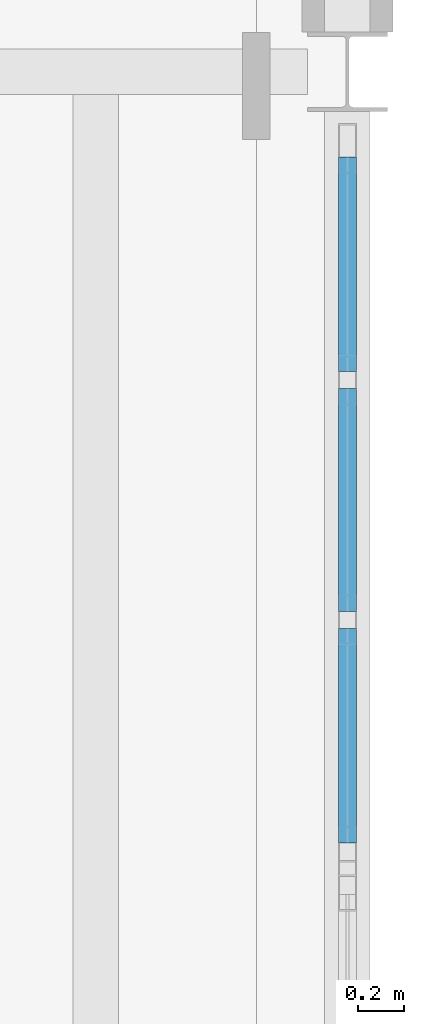
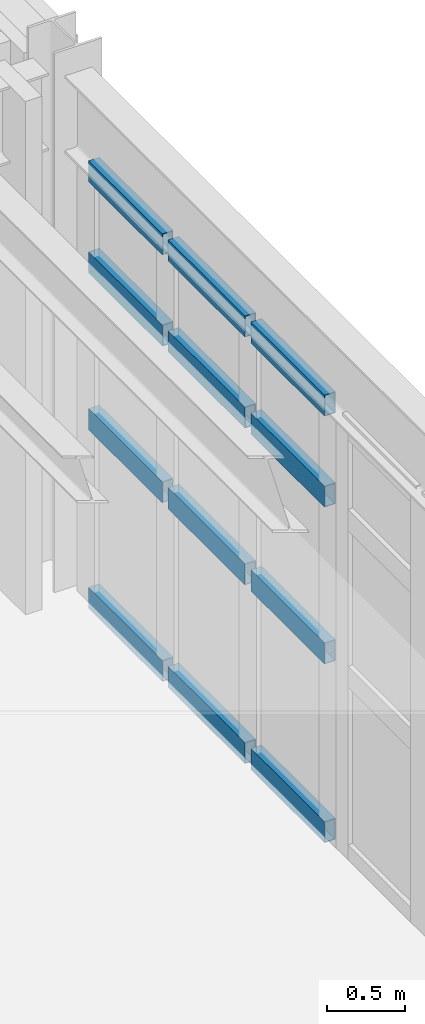
# One storey, part 18 of 27: 12 members, 1 element without a shape of its own.
"""IFC4 building model written with IfcOpenShell, lengths in metres."""

from ifc_helpers import new_model, si_unit, direction, frame, origin, origin_2d, place, context, subcontext, project, spatial, hollow_rectangle, extrude, material, material_profile, profile_set, type_object, element, aggregate, save


model = new_model("IFC4")

# Units and contexts
model_context = context("Model", 3, precision=1e-05, world=origin(), true_north=direction((0.0, 1.0)))
body_context = subcontext(model_context, "Body", "Model", "MODEL_VIEW")
ifc_project = project(units=[si_unit("LENGTHUNIT", "METRE"), si_unit("AREAUNIT", "SQUARE_METRE"), si_unit("VOLUMEUNIT", "CUBIC_METRE"), si_unit("PLANEANGLEUNIT", "RADIAN"), si_unit("MASSUNIT", "GRAM", prefix="KILO"), si_unit("THERMODYNAMICTEMPERATUREUNIT", "KELVIN"), si_unit("POWERUNIT", "WATT")], contexts=[model_context])

# Site, building, storey
site_placement = place(None, origin())
site = spatial("IfcSite", under=ifc_project, at=site_placement, CompositionType="ELEMENT")
building_placement = place(site_placement, origin())
building = spatial("IfcBuilding", under=site, at=building_placement, Name="Zhenchuan Central Fire Station", CompositionType="ELEMENT")
storey_placement = place(building_placement, frame((0.0, 0.0, 14.25)))
storey = spatial("IfcBuildingStorey", under=building, at=storey_placement, Name="L04", CompositionType="ELEMENT", Elevation=14.25)

# Curtain wall, members
ifc_material_1 = material(Name="Anodised aluminium and low-E glazing", Category="aluminium")
curtain_wall_type = type_object("IfcCurtainWallType", Name="CW-MOD-15", PredefinedType="USERDEFINED", material=ifc_material_1)
curtain_wall_placement = place(storey_placement, origin())
curtain_wall = element("IfcCurtainWall", 1, at=curtain_wall_placement, inside=storey, type_object=curtain_wall_type, Name="L04 Unitised Curtain Wall 147", ObjectType="UNITISED GLAZING", PredefinedType="USERDEFINED")
ifc_material_2 = material(Name="Anodised aluminium EN AW-6063", Category="aluminium")
ifc_material_profile = material_profile(ifc_material_2, hollow_rectangle(XDim=0.080078125, YDim=0.1650390625, WallThickness=0.0048828125, at=origin_2d()), Name="ALU-T 165x80")
ifc_profile_set = profile_set([ifc_material_profile], Name="Anodised aluminium EN AW-6063")
member_type = type_object("IfcMemberType", Name="CW-TRN150", PredefinedType="NOTDEFINED", material=ifc_profile_set)
member_1_placement = place(storey_placement, frame((161.0, 46.113037109375, 0.033447265625), z_axis=(0.0, 1.0, 0.0), x_axis=(-1.0, 0.0, 0.0)))
member_1 = element("IfcMember", 2, at=member_1_placement, type_object=member_type, Name="CW-15 transom 1.1", ObjectType="TRANSOM", PredefinedType="USERDEFINED", context=body_context, shape_type="SweptSolid", body=[
    extrude(hollow_rectangle(XDim=0.080078125, YDim=0.1650390625, WallThickness=0.0048828125, at=origin_2d()), origin(), (0.0, 0.0, 1.0), 0.94140625),
])
member_2_placement = place(storey_placement, frame((161.0, 46.113037109375, 1.425537109375), z_axis=(0.0, 1.0, 0.0), x_axis=(-1.0, 0.0, 0.0)))
member_2 = element("IfcMember", 3, at=member_2_placement, type_object=member_type, Name="CW-15 transom 1.2", ObjectType="TRANSOM", PredefinedType="USERDEFINED", context=body_context, shape_type="SweptSolid", body=[
    extrude(hollow_rectangle(XDim=0.080078125, YDim=0.1650390625, WallThickness=0.0048828125, at=origin_2d()), origin(), (0.0, 0.0, 1.0), 0.94140625),
])
member_3_placement = place(storey_placement, frame((161.0, 46.113037109375, 2.647216796875), z_axis=(0.0, 1.0, 0.0), x_axis=(-1.0, 0.0, 0.0)))
member_3 = element("IfcMember", 4, at=member_3_placement, type_object=member_type, Name="CW-15 transom 1.3", ObjectType="TRANSOM", PredefinedType="USERDEFINED", context=body_context, shape_type="SweptSolid", body=[
    extrude(hollow_rectangle(XDim=0.080078125, YDim=0.1650390625, WallThickness=0.0048828125, at=origin_2d()), origin(), (0.0, 0.0, 1.0), 0.94140625),
])
member_4_placement = place(storey_placement, frame((161.0, 46.113037109375, 3.3564453125), z_axis=(0.0, 1.0, 0.0), x_axis=(-1.0, 0.0, 0.0)))
member_4 = element("IfcMember", 5, at=member_4_placement, type_object=member_type, Name="CW-15 transom 1.4", ObjectType="TRANSOM", PredefinedType="USERDEFINED", context=body_context, shape_type="SweptSolid", body=[
    extrude(hollow_rectangle(XDim=0.080078125, YDim=0.1650390625, WallThickness=0.0048828125, at=origin_2d()), origin(), (0.0, 0.0, 1.0), 0.94140625),
])
member_5_placement = place(storey_placement, frame((161.0, 47.12939453125, 0.033447265625), z_axis=(0.0, 1.0, 0.0), x_axis=(-1.0, 0.0, 0.0)))
member_5 = element("IfcMember", 6, at=member_5_placement, type_object=member_type, Name="CW-15 transom 2.1", ObjectType="TRANSOM", PredefinedType="USERDEFINED", context=body_context, shape_type="SweptSolid", body=[
    extrude(hollow_rectangle(XDim=0.080078125, YDim=0.1650390625, WallThickness=0.0048828125, at=origin_2d()), origin(), (0.0, 0.0, 1.0), 0.97900390625),
])
member_6_placement = place(storey_placement, frame((161.0, 47.12939453125, 1.425537109375), z_axis=(0.0, 1.0, 0.0), x_axis=(-1.0, 0.0, 0.0)))
member_6 = element("IfcMember", 7, at=member_6_placement, type_object=member_type, Name="CW-15 transom 2.2", ObjectType="TRANSOM", PredefinedType="USERDEFINED", context=body_context, shape_type="SweptSolid", body=[
    extrude(hollow_rectangle(XDim=0.080078125, YDim=0.1650390625, WallThickness=0.0048828125, at=origin_2d()), origin(), (0.0, 0.0, 1.0), 0.97900390625),
])
member_7_placement = place(storey_placement, frame((161.0, 47.12939453125, 2.647216796875), z_axis=(0.0, 1.0, 0.0), x_axis=(-1.0, 0.0, 0.0)))
member_7 = element("IfcMember", 8, at=member_7_placement, type_object=member_type, Name="CW-15 transom 2.3", ObjectType="TRANSOM", PredefinedType="USERDEFINED", context=body_context, shape_type="SweptSolid", body=[
    extrude(hollow_rectangle(XDim=0.080078125, YDim=0.1650390625, WallThickness=0.0048828125, at=origin_2d()), origin(), (0.0, 0.0, 1.0), 0.97900390625),
])
member_8_placement = place(storey_placement, frame((161.0, 47.12939453125, 3.3564453125), z_axis=(0.0, 1.0, 0.0), x_axis=(-1.0, 0.0, 0.0)))
member_8 = element("IfcMember", 9, at=member_8_placement, type_object=member_type, Name="CW-15 transom 2.4", ObjectType="TRANSOM", PredefinedType="USERDEFINED", context=body_context, shape_type="SweptSolid", body=[
    extrude(hollow_rectangle(XDim=0.080078125, YDim=0.1650390625, WallThickness=0.0048828125, at=origin_2d()), origin(), (0.0, 0.0, 1.0), 0.97900390625),
])
member_9_placement = place(storey_placement, frame((161.0, 48.18359375, 0.033447265625), z_axis=(0.0, 1.0, 0.0), x_axis=(-1.0, 0.0, 0.0)))
member_9 = element("IfcMember", 10, at=member_9_placement, type_object=member_type, Name="CW-15 transom 3.1", ObjectType="TRANSOM", PredefinedType="USERDEFINED", context=body_context, shape_type="SweptSolid", body=[
    extrude(hollow_rectangle(XDim=0.080078125, YDim=0.1650390625, WallThickness=0.0048828125, at=origin_2d()), origin(), (0.0, 0.0, 1.0), 0.94140625),
])
member_10_placement = place(storey_placement, frame((161.0, 48.18359375, 1.425537109375), z_axis=(0.0, 1.0, 0.0), x_axis=(-1.0, 0.0, 0.0)))
member_10 = element("IfcMember", 11, at=member_10_placement, type_object=member_type, Name="CW-15 transom 3.2", ObjectType="TRANSOM", PredefinedType="USERDEFINED", context=body_context, shape_type="SweptSolid", body=[
    extrude(hollow_rectangle(XDim=0.080078125, YDim=0.1650390625, WallThickness=0.0048828125, at=origin_2d()), origin(), (0.0, 0.0, 1.0), 0.94140625),
])
member_11_placement = place(storey_placement, frame((161.0, 48.18359375, 2.647216796875), z_axis=(0.0, 1.0, 0.0), x_axis=(-1.0, 0.0, 0.0)))
member_11 = element("IfcMember", 12, at=member_11_placement, type_object=member_type, Name="CW-15 transom 3.3", ObjectType="TRANSOM", PredefinedType="USERDEFINED", context=body_context, shape_type="SweptSolid", body=[
    extrude(hollow_rectangle(XDim=0.080078125, YDim=0.1650390625, WallThickness=0.0048828125, at=origin_2d()), origin(), (0.0, 0.0, 1.0), 0.94140625),
])
member_12_placement = place(storey_placement, frame((161.0, 48.18359375, 3.3564453125), z_axis=(0.0, 1.0, 0.0), x_axis=(-1.0, 0.0, 0.0)))
member_12 = element("IfcMember", 13, at=member_12_placement, type_object=member_type, Name="CW-15 transom 3.4", ObjectType="TRANSOM", PredefinedType="USERDEFINED", context=body_context, shape_type="SweptSolid", body=[
    extrude(hollow_rectangle(XDim=0.080078125, YDim=0.1650390625, WallThickness=0.0048828125, at=origin_2d()), origin(), (0.0, 0.0, 1.0), 0.94140625),
])
aggregate(curtain_wall, [member_1, member_2, member_3, member_4, member_5, member_6, member_7, member_8, member_9, member_10, member_11, member_12])

save(model, "model.ifc")
